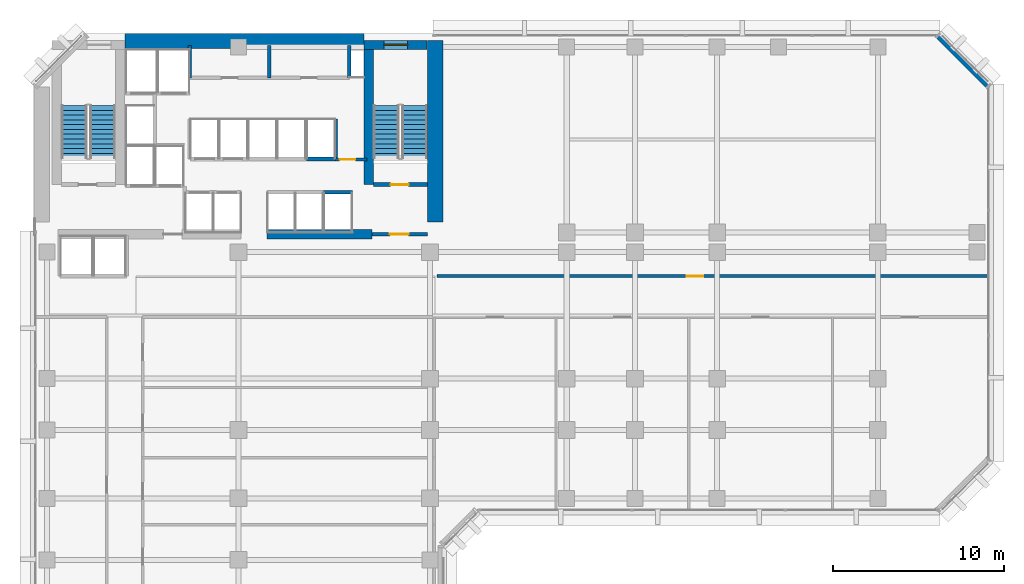
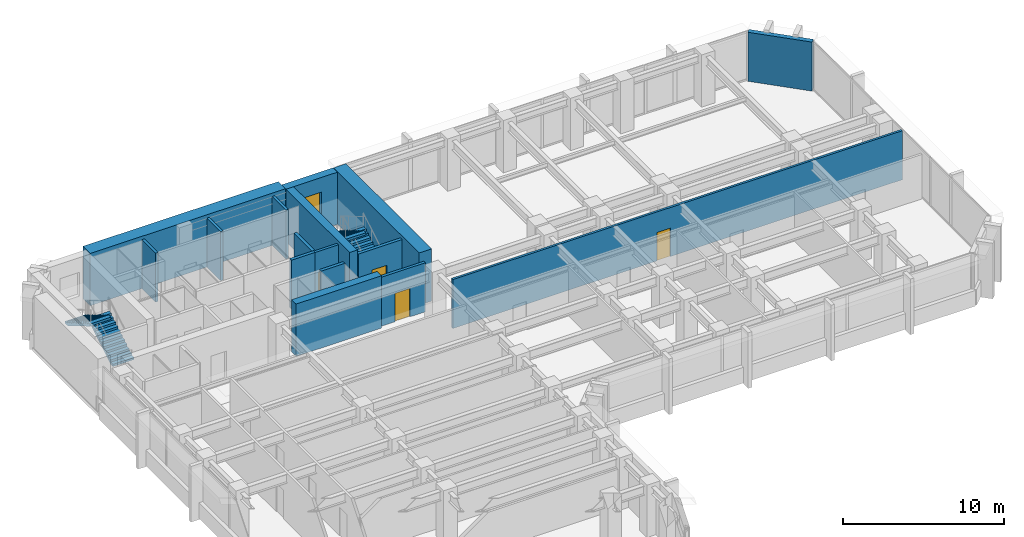
# One storey, part 8 of 13: 16 walls, 4 doors, 4 stair flights, 1 window, 5 openings, 2 elements without a shape of their own.
"""IFC4 building model written with IfcOpenShell, lengths in metres."""

from ifc_helpers import new_model, si_unit, direction, frame, frame_2d, origin, place, context, subcontext, project, spatial, polyline, rectangle, outline, extrude, material, layer, layer_set, type_object, element, fill, aggregate, save


model = new_model("IFC4")

# Units and contexts
model_context = context("Model", 3, precision=1e-05, world=origin(), true_north=direction((0.0, 1.0)))
body_context = subcontext(model_context, "Body", "Model", "MODEL_VIEW")
ifc_project = project(units=[si_unit("LENGTHUNIT", "METRE"), si_unit("AREAUNIT", "SQUARE_METRE"), si_unit("VOLUMEUNIT", "CUBIC_METRE"), si_unit("PLANEANGLEUNIT", "RADIAN"), si_unit("MASSUNIT", "GRAM", prefix="KILO")], contexts=[model_context])

# Site, building, storey
site_placement = place(None, origin())
site = spatial("IfcSite", under=ifc_project, at=site_placement, CompositionType="ELEMENT")
building_placement = place(site_placement, origin())
building = spatial("IfcBuilding", under=site, at=building_placement, Name="Kefirva Bronze Tower", CompositionType="ELEMENT")
storey_placement = place(building_placement, frame((0.0, 0.0, 77.8798828125)))
storey = spatial("IfcBuildingStorey", under=building, at=storey_placement, Name="L18", CompositionType="ELEMENT", Elevation=77.8798828125)

# Wall, opening, door
ifc_material_1 = material(Name="Gypsum fireboard shaftwall")
ifc_layer_1 = layer(ifc_material_1, 0.219970703125, Name="Gypsum fireboard shaftwall")
ifc_layer_set_1 = layer_set([ifc_layer_1], Name="Gypsum fireboard shaftwall")
wall_type_1 = type_object("IfcWallType", Name="Fire-Rated Shaft Enclosure Wall 220mm", PredefinedType="PARTITIONING", material=ifc_layer_set_1)
wall_1_placement = place(storey_placement, frame((19.89990234375, 37.14990234375, 0.0), z_axis=(0.0, 0.0, 1.0), x_axis=(1.0, 0.0, 0.0)))
wall_1 = element("IfcWall", 1, at=wall_1_placement, inside=storey, type_object=wall_type_1, Name="L18 Partition W-L18-ST2S", PredefinedType="PARTITIONING", context=body_context, shape_type="SweptSolid", body=[
    extrude(rectangle(XDim=3.150146484375, YDim=0.219970703125, at=frame_2d((1.5751953125, 0.0))), origin(), (0.0, 0.0, 1.0), 3.710205078125),
])
opening_1_placement = place(wall_1_placement, frame((2.050048828125, 0.0, 0.0), z_axis=(0.0, 0.0, 1.0), x_axis=(-1.0, 0.0, 0.0)))
opening_1 = element("IfcOpeningElement", 2, at=opening_1_placement, cuts=wall_1, Name="Opening L18-D003", PredefinedType="OPENING", context=body_context, shape_type="SweptSolid", body=[
    extrude(rectangle(XDim=1.050048828125, YDim=2.14990234375, at=frame_2d((0.52490234375, 1.074951171875))), frame((0.0, 0.1201171875, 0.0), z_axis=(0.0, -1.0, 0.0), x_axis=(1.0, 0.0, 0.0)), (0.0, 0.0, 1.0), 0.239990234375),
])
ifc_material_2 = material(Name="Painted galvanized steel", Category="steel")
door_type_1 = type_object("IfcDoorType", Name="Fire Stair Enclosure Door 1050x2150 FD90S", OperationType="NOTDEFINED", PredefinedType="DOOR", material=ifc_material_2)
door_1_placement = place(opening_1_placement, origin())
door_1 = element("IfcDoor", 3, at=door_1_placement, inside=storey, type_object=door_type_1, Name="Door L18-D003", OperationType="SINGLE_SWING_RIGHT", OverallHeight=2.14990234375, OverallWidth=1.050048828125, PredefinedType="DOOR", context=body_context, shape_type="SweptSolid", body=[
    extrude(rectangle(XDim=1.050048828125, YDim=2.14990234375, at=frame_2d((0.52490234375, 1.074951171875))), frame((0.0, 0.02490234375, 0.0), z_axis=(0.0, -1.0, 0.0), x_axis=(1.0, 0.0, 0.0)), (0.0, 0.0, 1.0), 0.050048828125),
])
fill(opening_1, door_1)

# Walls
wall_2_placement = place(storey_placement, frame((17.679931640625, 38.64990234375, 0.0), z_axis=(0.0, 0.0, 1.0), x_axis=(0.0, 1.0, 0.0)))
element("IfcWall", 4, at=wall_2_placement, inside=storey, type_object=wall_type_1, Name="L18 Partition W-L18-HP2E", PredefinedType="PARTITIONING", context=body_context, shape_type="SweptSolid", body=[
    extrude(rectangle(XDim=2.35009765625, YDim=0.199951171875, at=frame_2d((1.175048828125, 0.0))), origin(), (0.0, 0.0, 1.0), 3.710205078125),
])
wall_3_placement = place(storey_placement, frame((16.97998046875, 36.699951171875, 0.0), z_axis=(0.0, 0.0, 1.0), x_axis=(1.0, 0.0, 0.0)))
element("IfcWall", 5, at=wall_3_placement, inside=storey, type_object=wall_type_1, Name="L18 Partition W-L18-HPS", PredefinedType="PARTITIONING", context=body_context, shape_type="SweptSolid", body=[
    extrude(rectangle(XDim=1.699951171875, YDim=0.219970703125, at=frame_2d((0.85009765625, 0.0))), origin(), (0.0, 0.0, 1.0), 3.710205078125),
])
wall_4_placement = place(storey_placement, frame((15.97998046875, 38.64990234375, 0.0), z_axis=(0.0, 0.0, 1.0), x_axis=(1.0, 0.0, 0.0)))
element("IfcWall", 6, at=wall_4_placement, inside=storey, type_object=wall_type_1, Name="L18 Partition W-L18-HPN", PredefinedType="PARTITIONING", context=body_context, shape_type="SweptSolid", body=[
    extrude(rectangle(XDim=1.719970703125, YDim=0.219970703125, at=frame_2d((0.85986328125, 0.0))), origin(), (0.0, 0.0, 1.0), 3.710205078125),
])

# Wall, opening, door
ifc_material_3 = material(Name="Gypsum fireboard barrier")
ifc_layer_2 = layer(ifc_material_3, 0.199951171875, Name="Gypsum fireboard barrier")
ifc_layer_set_2 = layer_set([ifc_layer_2], Name="Gypsum fireboard barrier")
wall_type_2 = type_object("IfcWallType", Name="Firefighting Lobby Barrier Wall 200mm", PredefinedType="PARTITIONING", material=ifc_layer_set_2)
wall_5_placement = place(storey_placement, frame((19.800048828125, 34.25, 0.0), z_axis=(0.0, 0.0, 1.0), x_axis=(1.0, 0.0, 0.0)))
wall_5 = element("IfcWall", 7, at=wall_5_placement, inside=storey, type_object=wall_type_2, Name="L18 Partition W-L18-ST2F", PredefinedType="PARTITIONING", context=body_context, shape_type="SweptSolid", body=[
    extrude(rectangle(XDim=3.25, YDim=0.199951171875, at=frame_2d((1.625, 0.0))), origin(), (0.0, 0.0, 1.0), 3.710205078125),
])
opening_2_placement = place(wall_5_placement, frame((2.150146484375, 0.0, 0.0), z_axis=(0.0, 0.0, 1.0), x_axis=(-1.0, 0.0, 0.0)))
opening_2 = element("IfcOpeningElement", 8, at=opening_2_placement, cuts=wall_5, Name="Opening L18-D004", PredefinedType="OPENING", context=body_context, shape_type="SweptSolid", body=[
    extrude(rectangle(XDim=1.10009765625, YDim=2.14990234375, at=frame_2d((0.550048828125, 1.074951171875))), frame((0.0, 0.10986328125, 0.0), z_axis=(0.0, -1.0, 0.0), x_axis=(1.0, 0.0, 0.0)), (0.0, 0.0, 1.0), 0.219970703125),
])
door_type_2 = type_object("IfcDoorType", Name="Firefighting Lobby Smoke Door 1100x2150 FD60S", OperationType="NOTDEFINED", PredefinedType="DOOR", material=ifc_material_2)
door_2_placement = place(opening_2_placement, origin())
door_2 = element("IfcDoor", 9, at=door_2_placement, inside=storey, type_object=door_type_2, Name="Door L18-D004", OperationType="SINGLE_SWING_LEFT", OverallHeight=2.14990234375, OverallWidth=1.10009765625, PredefinedType="DOOR", context=body_context, shape_type="SweptSolid", body=[
    extrude(rectangle(XDim=1.10009765625, YDim=2.14990234375, at=frame_2d((0.550048828125, 1.074951171875))), frame((0.0, 0.02490234375, 0.0), z_axis=(0.0, -1.0, 0.0), x_axis=(1.0, 0.0, 0.0)), (0.0, 0.0, 1.0), 0.050048828125),
])
fill(opening_2, door_2)

wall_6_placement = place(storey_placement, frame((17.679931640625, 38.6201171875, 0.0), z_axis=(0.0, 0.0, 1.0), x_axis=(1.0, 0.0, 0.0)))
wall_6 = element("IfcWall", 10, at=wall_6_placement, inside=storey, type_object=wall_type_2, Name="L18 Partition W-L18-CPASS", PredefinedType="PARTITIONING", context=body_context, shape_type="SweptSolid", body=[
    extrude(rectangle(XDim=1.840087890625, YDim=0.179931640625, at=frame_2d((0.919921875, 0.0))), origin(), (0.0, 0.0, 1.0), 3.710205078125),
])
opening_3_placement = place(wall_6_placement, frame((0.239990234375, 0.0, 0.0)))
opening_3 = element("IfcOpeningElement", 11, at=opening_3_placement, cuts=wall_6, Name="Opening L18-D-CPAS", PredefinedType="OPENING", context=body_context, shape_type="SweptSolid", body=[
    extrude(rectangle(XDim=0.919921875, YDim=2.10009765625, at=frame_2d((0.4599609375, 1.050048828125))), frame((0.0, 0.10009765625, 0.0), z_axis=(0.0, -1.0, 0.0), x_axis=(1.0, 0.0, 0.0)), (0.0, 0.0, 1.0), 0.199951171875),
])
ifc_material_4 = material(Name="Moisture-resistant timber", Category="wood")
door_type_3 = type_object("IfcDoorType", Name="Accessible Sanitary & WC Door 920x2100", OperationType="NOTDEFINED", PredefinedType="DOOR", material=ifc_material_4)
door_3_placement = place(opening_3_placement, origin())
door_3 = element("IfcDoor", 12, at=door_3_placement, inside=storey, type_object=door_type_3, Name="Door L18-D-CPAS", OperationType="SINGLE_SWING_RIGHT", OverallHeight=2.10009765625, OverallWidth=0.919921875, PredefinedType="DOOR", context=body_context, shape_type="SweptSolid", body=[
    extrude(rectangle(XDim=0.919921875, YDim=2.10009765625, at=frame_2d((0.4599609375, 1.050048828125))), frame((0.0, 0.02490234375, 0.0), z_axis=(0.0, -1.0, 0.0), x_axis=(1.0, 0.0, 0.0)), (0.0, 0.0, 1.0), 0.050048828125),
])
fill(opening_3, door_3)

# Wall
ifc_material_5 = material(Name="Precast concrete C40/50", Category="concrete")
ifc_layer_3 = layer(ifc_material_5, 0.320068359375, Name="Precast concrete C40/50")
ifc_layer_set_3 = layer_set([ifc_layer_3], Name="Precast concrete C40/50")
wall_type_3 = type_object("IfcWallType", Name="Precast Insulated Exterior Wall 320mm", PredefinedType="SOLIDWALL", material=ifc_layer_set_3)
wall_7_placement = place(storey_placement, frame((55.847900390625, 42.92578125, 0.0), z_axis=(0.0, 0.0, 1.0), x_axis=(-0.707106781187, 0.707106781187, 0.0)))
element("IfcWall", 13, at=wall_7_placement, inside=storey, type_object=wall_type_3, Name="L18 Exterior Facade Wall 8", PredefinedType="SOLIDWALL", context=body_context, shape_type="SweptSolid", body=[
    extrude(rectangle(XDim=4.132568359375, YDim=0.320068359375, at=frame_2d((2.06640625, 0.0))), origin(), (0.0, 0.0, 1.0), 3.710205078125),
])

# Wall, opening, door
ifc_material_6 = material(Name="Gypsum acoustic partition")
ifc_layer_4 = layer(ifc_material_6, 0.159912109375, Name="Gypsum acoustic partition")
ifc_layer_set_4 = layer_set([ifc_layer_4], Name="Gypsum acoustic partition")
wall_type_4 = type_object("IfcWallType", Name="Protected Corridor Partition 160mm", PredefinedType="PARTITIONING", material=ifc_layer_set_4)
wall_8_placement = place(storey_placement, frame((23.60009765625, 31.800048828125, 0.0), z_axis=(0.0, 0.0, 1.0), x_axis=(1.0, 0.0, 0.0)))
wall_8 = element("IfcWall", 14, at=wall_8_placement, inside=storey, type_object=wall_type_4, Name="L18 Partition W-L18-EWN", PredefinedType="PARTITIONING", context=body_context, shape_type="SweptSolid", body=[
    extrude(rectangle(XDim=32.2099609375, YDim=0.159912109375, at=frame_2d((16.10498046875, 0.0))), origin(), (0.0, 0.0, 1.0), 3.710205078125),
])
opening_4_placement = place(wall_8_placement, frame((14.6298828125, 0.0, 0.0)))
opening_4 = element("IfcOpeningElement", 15, at=opening_4_placement, cuts=wall_8, Name="Opening L18-D-EN1", PredefinedType="OPENING", context=body_context, shape_type="SweptSolid", body=[
    extrude(rectangle(XDim=0.949951171875, YDim=2.14990234375, at=frame_2d((0.47509765625, 1.074951171875))), frame((0.0, 0.08984375, 0.0), z_axis=(0.0, -1.0, 0.0), x_axis=(1.0, 0.0, 0.0)), (0.0, 0.0, 1.0), 0.179931640625),
])
ifc_material_7 = material(Name="Acoustic hardwood oak", Category="wood")
door_type_4 = type_object("IfcDoorType", Name="Office & Meeting Room Door 950x2150", OperationType="NOTDEFINED", PredefinedType="DOOR", material=ifc_material_7)
door_4_placement = place(opening_4_placement, origin())
door_4 = element("IfcDoor", 16, at=door_4_placement, inside=storey, type_object=door_type_4, Name="Door L18-D-EN1", OperationType="SINGLE_SWING_RIGHT", OverallHeight=2.14990234375, OverallWidth=0.949951171875, PredefinedType="DOOR", context=body_context, shape_type="SweptSolid", body=[
    extrude(rectangle(XDim=0.949951171875, YDim=2.14990234375, at=frame_2d((0.47509765625, 1.074951171875))), frame((0.0, 0.02490234375, 0.0), z_axis=(0.0, -1.0, 0.0), x_axis=(1.0, 0.0, 0.0)), (0.0, 0.0, 1.0), 0.050048828125),
])
fill(opening_4, door_4)

# Wall, opening, window
ifc_material_8 = material(Name="Concrete C50/60", Category="concrete")
ifc_layer_5 = layer(ifc_material_8, 0.550048828125, Name="Concrete C50/60")
ifc_layer_set_5 = layer_set([ifc_layer_5], Name="Concrete C50/60")
wall_type_5 = type_object("IfcWallType", Name="RC Rear Core Exterior Wall 550mm", PredefinedType="SHEAR", material=ifc_layer_set_5)
wall_9_placement = place(storey_placement, frame((19.35009765625, 45.320068359375, 0.0), z_axis=(0.0, 0.0, 1.0), x_axis=(1.0, 0.0, 0.0)))
wall_9 = element("IfcWall", 17, at=wall_9_placement, inside=storey, type_object=wall_type_5, Name="L18 Stair 2 North Shear Wall", PredefinedType="SHEAR", context=body_context, shape_type="SweptSolid", body=[
    extrude(rectangle(XDim=3.68994140625, YDim=0.550048828125, at=frame_2d((1.844970703125, 0.0))), origin(), (0.0, 0.0, 1.0), 3.960205078125),
])
opening_5_placement = place(wall_9_placement, frame((1.14990234375, 0.0, 1.050048828125)))
opening_5 = element("IfcOpeningElement", 18, at=opening_5_placement, cuts=wall_9, Name="Opening WN-03", PredefinedType="OPENING", context=body_context, shape_type="SweptSolid", body=[
    extrude(rectangle(XDim=1.39990234375, YDim=1.800048828125, at=frame_2d((0.699951171875, 0.89990234375))), frame((0.0, 0.28515625, 0.0), z_axis=(0.0, -1.0, 0.0), x_axis=(1.0, 0.0, 0.0)), (0.0, 0.0, 1.0), 0.570068359375),
])
ifc_material_9 = material(Name="Laminated low-E double glazing", Category="glass")
window_type = type_object("IfcWindowType", Name="Rear-Core Stair Daylight Window 1400x1800", PartitioningType="SINGLE_PANEL", PredefinedType="WINDOW", material=ifc_material_9)
window_placement = place(opening_5_placement, origin())
window = element("IfcWindow", 19, at=window_placement, inside=storey, type_object=window_type, Name="L18 Stair 2 Daylight Window", OverallHeight=1.800048828125, OverallWidth=1.39990234375, PartitioningType="SINGLE_PANEL", PredefinedType="WINDOW", context=body_context, shape_type="SweptSolid", body=[
    extrude(rectangle(XDim=1.39990234375, YDim=1.800048828125, at=frame_2d((0.699951171875, 0.89990234375))), frame((0.0, 0.030029296875, 0.0), z_axis=(0.0, -1.0, 0.0), x_axis=(1.0, 0.0, 0.0)), (0.0, 0.0, 1.0), 0.06005859375),
])
fill(opening_5, window)

# Walls
ifc_material_10 = material(Name="Concrete C60/75", Category="concrete")
ifc_layer_6 = layer(ifc_material_10, 0.89990234375, Name="Concrete C60/75")
ifc_layer_set_6 = layer_set([ifc_layer_6], Name="Concrete C60/75")
wall_type_6 = type_object("IfcWallType", Name="RC Rear Core Exterior Wall 900mm", PredefinedType="SHEAR", material=ifc_layer_set_6)
wall_10_placement = place(storey_placement, frame((5.360107421875, 45.550048828125, 0.0), z_axis=(0.0, 0.0, 1.0), x_axis=(1.0, 0.0, 0.0)))
element("IfcWall", 20, at=wall_10_placement, inside=storey, type_object=wall_type_6, Name="L18 Rear Core North Shear Wall", PredefinedType="SHEAR", context=body_context, shape_type="SweptSolid", body=[
    extrude(rectangle(XDim=13.97998046875, YDim=0.89990234375, at=frame_2d((6.989990234375, 0.0))), origin(), (0.0, 0.0, 1.0), 3.960205078125),
])
ifc_layer_7 = layer(ifc_material_8, 0.550048828125, Name="Concrete C50/60")
ifc_layer_set_7 = layer_set([ifc_layer_7], Name="Concrete C50/60")
wall_type_7 = type_object("IfcWallType", Name="RC Rear Core Interior Wall 550mm", PredefinedType="SHEAR", material=ifc_layer_set_7)
wall_11_placement = place(storey_placement, frame((19.6201171875, 37.14990234375, 0.0), z_axis=(0.0, 0.0, 1.0), x_axis=(0.0, 1.0, 0.0)))
element("IfcWall", 21, at=wall_11_placement, inside=storey, type_object=wall_type_7, Name="L18 Stair 2 West Shear Wall", PredefinedType="SHEAR", context=body_context, shape_type="SweptSolid", body=[
    extrude(rectangle(XDim=7.89013671875, YDim=0.550048828125, at=frame_2d((3.945068359375, 0.0))), origin(), (0.0, 0.0, 1.0), 3.960205078125),
])
ifc_layer_8 = layer(ifc_material_10, 0.89990234375, Name="Concrete C60/75")
ifc_layer_set_8 = layer_set([ifc_layer_8], Name="Concrete C60/75")
wall_type_8 = type_object("IfcWallType", Name="RC Rear Core Interior Wall 900mm", PredefinedType="SHEAR", material=ifc_layer_set_8)
wall_12_placement = place(storey_placement, frame((23.5, 34.949951171875, 0.0), z_axis=(0.0, 0.0, 1.0), x_axis=(0.0, 1.0, 0.0)))
element("IfcWall", 22, at=wall_12_placement, inside=storey, type_object=wall_type_8, Name="L18 Rear Core East Shear Wall", PredefinedType="SHEAR", context=body_context, shape_type="SweptSolid", body=[
    extrude(rectangle(XDim=10.64013671875, YDim=0.89990234375, at=frame_2d((5.320068359375, 0.0))), origin(), (0.0, 0.0, 1.0), 3.960205078125),
])
wall_13_placement = place(storey_placement, frame((13.679931640625, 34.25, 0.0), z_axis=(0.0, 0.0, 1.0), x_axis=(1.0, 0.0, 0.0)))
element("IfcWall", 23, at=wall_13_placement, inside=storey, type_object=wall_type_8, Name="L18 Rear Core South-East Shear Wall", PredefinedType="SHEAR", context=body_context, shape_type="SweptSolid", body=[
    extrude(rectangle(XDim=6.1201171875, YDim=0.550048828125, at=frame_2d((3.06005859375, 0.0))), origin(), (0.0, 0.0, 1.0), 3.960205078125),
])
ifc_material_11 = material(Name="Moisture-resistant partition")
ifc_layer_9 = layer(ifc_material_11, 0.179931640625, Name="Moisture-resistant partition")
ifc_layer_set_9 = layer_set([ifc_layer_9], Name="Moisture-resistant partition")
wall_type_9 = type_object("IfcWallType", Name="Sanitary Plumbing Chase Wall 180mm", PredefinedType="PLUMBINGWALL", material=ifc_layer_set_9)
for number, where, z_axis, x_axis, name in (
    (24, (9.14990234375, 43.39990234375, 0.0), (0.0, 0.0, 1.0), (0.0, 1.0, 0.0), "L18 Partition W-L18-SVCW"),
    (25, (18.47998046875, 43.39990234375, 0.0), (0.0, 0.0, 1.0), (0.0, 1.0, 0.0), "L18 Partition W-L18-SVCE"),
    (26, (13.800048828125, 43.39990234375, 0.0), (0.0, 0.0, 1.0), (0.0, 1.0, 0.0), "L18 Partition W-L18-CSVD-1"),
):
    element("IfcWall", number, at=place(storey_placement, frame(where, z_axis=z_axis, x_axis=x_axis)), inside=storey, type_object=wall_type_9, Name=name, PredefinedType="PLUMBINGWALL", context=body_context, shape_type="SweptSolid", body=[
        extrude(rectangle(XDim=1.880126953125, YDim=0.179931640625, at=frame_2d((0.93994140625, 0.0))), origin(), (0.0, 0.0, 1.0), 3.710205078125),
    ])

# Stair, stair flights
ifc_material_12 = material(Name="Concrete C40/50", Category="concrete")
stair_type = type_object("IfcStairType", Name="RC Dogleg Protected Stair 24R", PredefinedType="HALF_TURN_STAIR", material=ifc_material_12)
stair_1_placement = place(storey_placement, origin())
stair_1 = element("IfcStair", 27, at=stair_1_placement, inside=storey, type_object=stair_type, Name="L18 Protected Exit Stair 1", PredefinedType="HALF_TURN_STAIR")
stair_flight_type = type_object("IfcStairFlightType", Name="RC Straight Stair Flight 24R", PredefinedType="STRAIGHT", material=ifc_material_12)
stair_flight_1_placement = place(storey_placement, frame((4.050048828125, 38.699951171875, 0.0), z_axis=(0.0, 0.0, 1.0), x_axis=(0.0, 1.0, 0.0)))
stair_flight_1 = element("IfcStairFlight", 28, at=stair_flight_1_placement, type_object=stair_flight_type, Name="ST-1 flight 1", NumberOfRisers=12, NumberOfTreads=11, PredefinedType="STRAIGHT", RiserHeight=0.165, TreadLength=0.28, context=body_context, shape_type="SweptSolid", body=[
    extrude(outline(polyline([(0.0, 0.0), (0.0, 0.1650390625), (0.280029296875, 0.1650390625), (0.280029296875, 0.330078125), (0.56005859375, 0.330078125), (0.56005859375, 0.4951171875), (0.840087890625, 0.4951171875), (0.840087890625, 0.659912109375), (1.1201171875, 0.659912109375), (1.1201171875, 0.824951171875), (1.39990234375, 0.824951171875), (1.39990234375, 0.989990234375), (1.679931640625, 0.989990234375), (1.679931640625, 1.155029296875), (1.9599609375, 1.155029296875), (1.9599609375, 1.320068359375), (2.239990234375, 1.320068359375), (2.239990234375, 1.485107421875), (2.52001953125, 1.485107421875), (2.52001953125, 1.64990234375), (2.800048828125, 1.64990234375), (2.800048828125, 1.81494140625), (3.080078125, 1.81494140625), (3.080078125, 1.97998046875), (3.080078125, 1.64111328125), (0.295166015625, 0.0), (0.0, 0.0)])), frame((0.0, 0.75, 0.0), z_axis=(0.0, -1.0, 0.0), x_axis=(1.0, 0.0, 0.0)), (0.0, 0.0, 1.0), 1.5),
])
stair_flight_2_placement = place(storey_placement, frame((2.39990234375, 41.780029296875, 1.980224609375), z_axis=(0.0, 0.0, 1.0), x_axis=(0.0, -1.0, 0.0)))
stair_flight_2 = element("IfcStairFlight", 29, at=stair_flight_2_placement, type_object=stair_flight_type, Name="ST-1 flight 2", NumberOfRisers=12, NumberOfTreads=11, PredefinedType="STRAIGHT", RiserHeight=0.165, TreadLength=0.28, context=body_context, shape_type="SweptSolid", body=[
    extrude(outline(polyline([(0.0, 0.0), (0.0, 0.1650390625), (0.280029296875, 0.1650390625), (0.280029296875, 0.330078125), (0.56005859375, 0.330078125), (0.56005859375, 0.4951171875), (0.840087890625, 0.4951171875), (0.840087890625, 0.659912109375), (1.1201171875, 0.659912109375), (1.1201171875, 0.824951171875), (1.39990234375, 0.824951171875), (1.39990234375, 0.989990234375), (1.679931640625, 0.989990234375), (1.679931640625, 1.155029296875), (1.9599609375, 1.155029296875), (1.9599609375, 1.320068359375), (2.239990234375, 1.320068359375), (2.239990234375, 1.485107421875), (2.52001953125, 1.485107421875), (2.52001953125, 1.64990234375), (2.800048828125, 1.64990234375), (2.800048828125, 1.81494140625), (3.080078125, 1.81494140625), (3.080078125, 1.97998046875), (3.080078125, 1.64111328125), (0.295166015625, 0.0), (0.0, 0.0)])), frame((0.0, 0.75, 0.0), z_axis=(0.0, -1.0, 0.0), x_axis=(1.0, 0.0, 0.0)), (0.0, 0.0, 1.0), 1.5),
])
aggregate(stair_1, [stair_flight_1, stair_flight_2])

stair_2_placement = place(storey_placement, origin())
stair_2 = element("IfcStair", 30, at=stair_2_placement, inside=storey, type_object=stair_type, Name="L18 Protected Exit Stair 2", PredefinedType="HALF_TURN_STAIR")
stair_flight_3_placement = place(storey_placement, frame((22.300048828125, 38.699951171875, 0.0), z_axis=(0.0, 0.0, 1.0), x_axis=(0.0, 1.0, 0.0)))
stair_flight_3 = element("IfcStairFlight", 31, at=stair_flight_3_placement, type_object=stair_flight_type, Name="ST-2 flight 1", NumberOfRisers=12, NumberOfTreads=11, PredefinedType="STRAIGHT", RiserHeight=0.165, TreadLength=0.28, context=body_context, shape_type="SweptSolid", body=[
    extrude(outline(polyline([(0.0, 0.0), (0.0, 0.1650390625), (0.280029296875, 0.1650390625), (0.280029296875, 0.330078125), (0.56005859375, 0.330078125), (0.56005859375, 0.4951171875), (0.840087890625, 0.4951171875), (0.840087890625, 0.659912109375), (1.1201171875, 0.659912109375), (1.1201171875, 0.824951171875), (1.39990234375, 0.824951171875), (1.39990234375, 0.989990234375), (1.679931640625, 0.989990234375), (1.679931640625, 1.155029296875), (1.9599609375, 1.155029296875), (1.9599609375, 1.320068359375), (2.239990234375, 1.320068359375), (2.239990234375, 1.485107421875), (2.52001953125, 1.485107421875), (2.52001953125, 1.64990234375), (2.800048828125, 1.64990234375), (2.800048828125, 1.81494140625), (3.080078125, 1.81494140625), (3.080078125, 1.97998046875), (3.080078125, 1.64111328125), (0.295166015625, 0.0), (0.0, 0.0)])), frame((0.0, 0.75, 0.0), z_axis=(0.0, -1.0, 0.0), x_axis=(1.0, 0.0, 0.0)), (0.0, 0.0, 1.0), 1.5),
])
stair_flight_4_placement = place(storey_placement, frame((20.64990234375, 41.780029296875, 1.980224609375), z_axis=(0.0, 0.0, 1.0), x_axis=(0.0, -1.0, 0.0)))
stair_flight_4 = element("IfcStairFlight", 32, at=stair_flight_4_placement, type_object=stair_flight_type, Name="ST-2 flight 2", NumberOfRisers=12, NumberOfTreads=11, PredefinedType="STRAIGHT", RiserHeight=0.165, TreadLength=0.28, context=body_context, shape_type="SweptSolid", body=[
    extrude(outline(polyline([(0.0, 0.0), (0.0, 0.1650390625), (0.280029296875, 0.1650390625), (0.280029296875, 0.330078125), (0.56005859375, 0.330078125), (0.56005859375, 0.4951171875), (0.840087890625, 0.4951171875), (0.840087890625, 0.659912109375), (1.1201171875, 0.659912109375), (1.1201171875, 0.824951171875), (1.39990234375, 0.824951171875), (1.39990234375, 0.989990234375), (1.679931640625, 0.989990234375), (1.679931640625, 1.155029296875), (1.9599609375, 1.155029296875), (1.9599609375, 1.320068359375), (2.239990234375, 1.320068359375), (2.239990234375, 1.485107421875), (2.52001953125, 1.485107421875), (2.52001953125, 1.64990234375), (2.800048828125, 1.64990234375), (2.800048828125, 1.81494140625), (3.080078125, 1.81494140625), (3.080078125, 1.97998046875), (3.080078125, 1.64111328125), (0.295166015625, 0.0), (0.0, 0.0)])), frame((0.0, 0.75, 0.0), z_axis=(0.0, -1.0, 0.0), x_axis=(1.0, 0.0, 0.0)), (0.0, 0.0, 1.0), 1.5),
])
aggregate(stair_2, [stair_flight_3, stair_flight_4])

save(model, "model.ifc")
